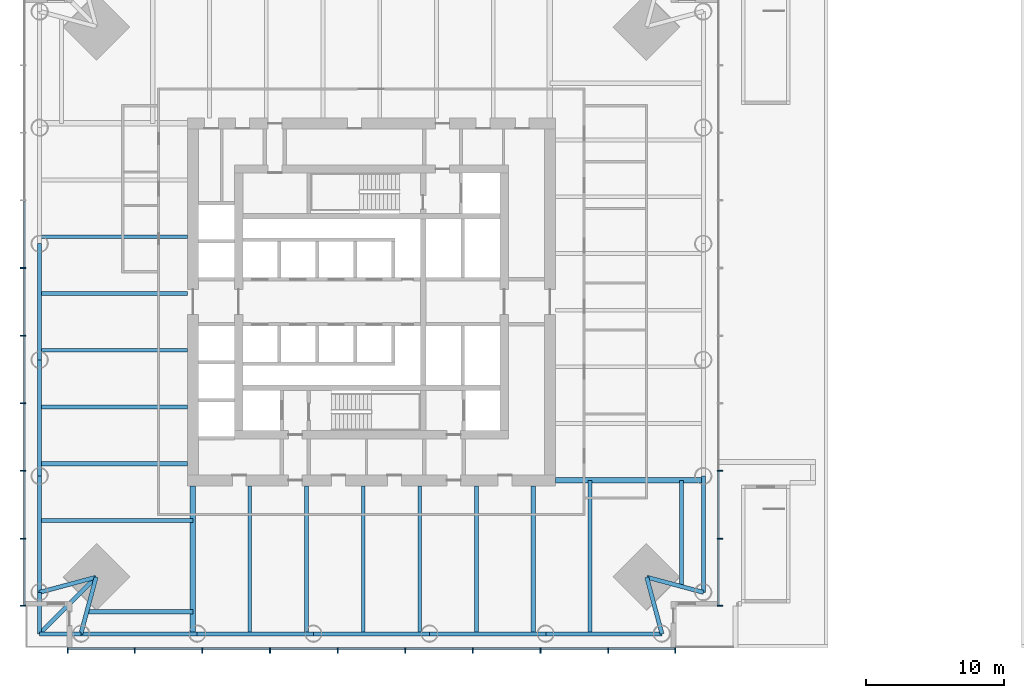
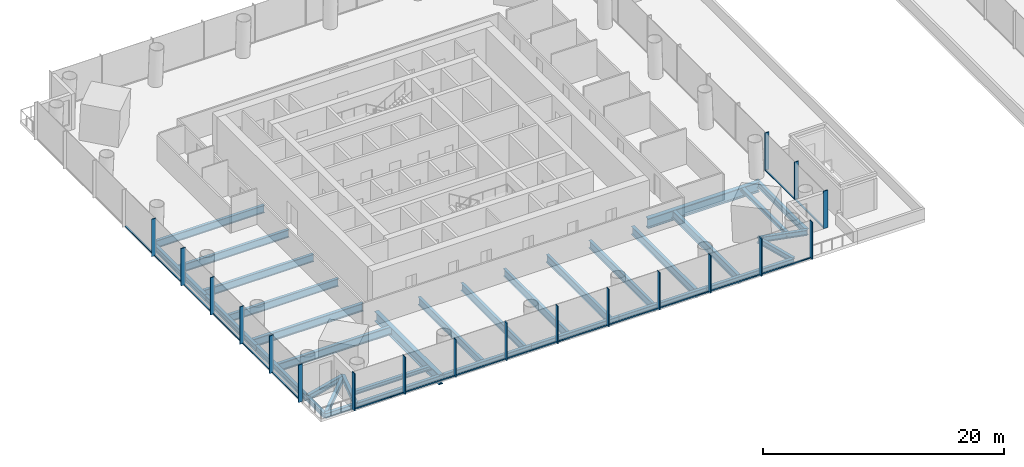
# One storey, part 2 of 19: 36 members, 33 beams, 3 elements without a shape of their own.
"""IFC4 building model written with IfcOpenShell, lengths in metres."""

from ifc_helpers import new_model, si_unit, direction, frame, origin, origin_2d, place, context, subcontext, project, spatial, rectangle, i_section, extrude, material, material_profile, profile_set, type_object, element, aggregate, save


model = new_model("IFC4")

# Units and contexts
model_context = context("Model", 3, precision=1e-05, world=origin(), true_north=direction((0.0, 1.0)))
body_context = subcontext(model_context, "Body", "Model", "MODEL_VIEW")
ifc_project = project(units=[si_unit("LENGTHUNIT", "METRE"), si_unit("AREAUNIT", "SQUARE_METRE"), si_unit("VOLUMEUNIT", "CUBIC_METRE"), si_unit("PLANEANGLEUNIT", "RADIAN"), si_unit("MASSUNIT", "GRAM", prefix="KILO")], contexts=[model_context])

# Site, building, storey
site_placement = place(None, origin())
site = spatial("IfcSite", under=ifc_project, at=site_placement, CompositionType="ELEMENT")
building_placement = place(site_placement, origin())
building = spatial("IfcBuilding", under=site, at=building_placement, Name="Ostroluk Exchange", CompositionType="ELEMENT")
storey_placement = place(building_placement, frame((0.0, 0.0, 21.0)))
storey = spatial("IfcBuildingStorey", under=building, at=storey_placement, Name="L04", CompositionType="ELEMENT", Elevation=21.0)

# Beams
ifc_material_1 = material(Name="Steel S355", Category="steel")
ifc_material_profile_1 = material_profile(ifc_material_1, i_section(OverallWidth=0.300048828125, OverallDepth=0.5, WebThickness=0.014404296875, FlangeThickness=0.028076171875, FilletRadius=0.027099609375, at=origin_2d()), Name="HEB 500")
ifc_profile_set_1 = profile_set([ifc_material_profile_1], Name="Steel S355")
beam_type_1 = type_object("IfcBeamType", Name="Balcony beam HEB 500", PredefinedType="BEAM", material=ifc_profile_set_1)
for number, where, z_axis, x_axis, name in (
    (1, (21.0, 25.0, -0.550048828125), (0.0, -1.0, 0.0), (1.0, 0.0, 0.0), "T1 west balcony beam a"),
    (2, (24.0, 22.0, -0.550048828125), (-1.0, 0.0, 0.0), (0.0, -1.0, 0.0), "T1 west balcony beam b"),
):
    element("IfcBeam", number, at=place(storey_placement, frame(where, z_axis=z_axis, x_axis=x_axis)), inside=storey, type_object=beam_type_1, Name=name, PredefinedType="BEAM", context=body_context, shape_type="SweptSolid", body=[
        extrude(i_section(OverallWidth=0.300048828125, OverallDepth=0.5, WebThickness=0.014404296875, FlangeThickness=0.028076171875, FilletRadius=0.027099609375, at=origin_2d()), origin(), (0.0, 0.0, 1.0), 3.0),
    ])
beam_1_placement = place(storey_placement, frame((25.10009765625, 26.10009765625, -0.550048828125), z_axis=(-0.707106781187, -0.707106781187, 0.0), x_axis=(0.707106781187, -0.707106781187, 0.0)))
element("IfcBeam", 3, at=beam_1_placement, inside=storey, type_object=beam_type_1, Name="T1 west balcony beam c", PredefinedType="BEAM", context=body_context, shape_type="SweptSolid", body=[
    extrude(i_section(OverallWidth=0.300048828125, OverallDepth=0.5, WebThickness=0.014404296875, FlangeThickness=0.028076171875, FilletRadius=0.027099609375, at=origin_2d()), origin(), (0.0, 0.0, 1.0), 5.79833984375),
])
ifc_material_2 = material(Name="Steel S355", Category="steel")
ifc_material_profile_2 = material_profile(ifc_material_2, i_section(OverallWidth=0.300048828125, OverallDepth=0.550048828125, WebThickness=0.014892578125, FlangeThickness=0.029052734375, FilletRadius=0.027099609375, at=origin_2d()), Name="HEB 550")
ifc_profile_set_2 = profile_set([ifc_material_profile_2], Name="Steel S355")
beam_type_2 = type_object("IfcBeamType", Name="Corner edge beam HEB 550", PredefinedType="SPANDREL", material=ifc_profile_set_2)
for number, where, z_axis, x_axis, name in (
    (4, (25.10009765625, 26.10009765625, -0.574951171875), (-0.965838624319, -0.259144268261, 0.0), (0.259144268261, -0.965838624319, 0.0), "T1 west corner edge beam a"),
    (5, (25.10009765625, 26.10009765625, -0.574951171875), (-0.259144268261, -0.965838624319, 0.0), (0.965838624319, -0.259144268261, 0.0), "T1 west corner edge beam b"),
    (6, (64.89990234375, 26.10009765625, -0.574951171875), (0.259144268261, -0.965838624319, 0.0), (0.965838624319, 0.259144268261, 0.0), "T1 south corner edge beam a"),
    (7, (64.89990234375, 26.10009765625, -0.574951171875), (0.965838624319, -0.259144268261, 0.0), (0.259144268261, 0.965838624319, 0.0), "T1 south corner edge beam b"),
):
    element("IfcBeam", number, at=place(storey_placement, frame(where, z_axis=z_axis, x_axis=x_axis)), inside=storey, type_object=beam_type_2, Name=name, PredefinedType="SPANDREL", context=body_context, shape_type="SweptSolid", body=[
        extrude(i_section(OverallWidth=0.300048828125, OverallDepth=0.550048828125, WebThickness=0.014892578125, FlangeThickness=0.029052734375, FilletRadius=0.027099609375, at=origin_2d()), origin(), (0.0, 0.0, 1.0), 4.2451171875),
    ])
ifc_material_3 = material(Name="Steel S355", Category="steel")
ifc_material_profile_3 = material_profile(ifc_material_3, i_section(OverallWidth=0.300048828125, OverallDepth=0.39990234375, WebThickness=0.013427734375, FlangeThickness=0.02392578125, FilletRadius=0.027099609375, at=origin_2d()), Name="HEB 400")
ifc_profile_set_3 = profile_set([ifc_material_profile_3], Name="Steel S355")
beam_type_3 = type_object("IfcBeamType", Name="Floor beam HEB 400", PredefinedType="BEAM", material=ifc_profile_set_3)
for number, where, z_axis, x_axis, name in (
    (8, (32.10009765625, 23.60009765625, -0.5), (-1.0, 0.0, 0.0), (0.0, -1.0, 0.0), "T1 west floor beam 8"),
    (9, (67.39990234375, 33.10009765625, -0.5), (0.0, -1.0, 0.0), (1.0, 0.0, 0.0), "T1 south floor beam 8"),
):
    element("IfcBeam", number, at=place(storey_placement, frame(where, z_axis=z_axis, x_axis=x_axis)), inside=storey, type_object=beam_type_3, Name=name, PredefinedType="BEAM", context=body_context, shape_type="SweptSolid", body=[
        extrude(i_section(OverallWidth=0.300048828125, OverallDepth=0.39990234375, WebThickness=0.013427734375, FlangeThickness=0.02392578125, FilletRadius=0.027099609375, at=origin_2d()), origin(), (0.0, 0.0, 1.0), 7.6708984375),
    ])
ifc_material_4 = material(Name="Steel S355", Category="steel")
ifc_material_profile_4 = material_profile(ifc_material_4, i_section(OverallWidth=0.302978515625, OverallDepth=0.81396484375, WebThickness=0.02099609375, FlangeThickness=0.0400390625, FilletRadius=0.030029296875, at=origin_2d()), Name="HEM 800")
ifc_profile_set_4 = profile_set([ifc_material_profile_4], Name="Steel S355")
beam_type_4 = type_object("IfcBeamType", Name="Floor beam HEM 800", PredefinedType="BEAM", material=ifc_profile_set_4)
beam_2_placement = place(storey_placement, frame((31.699951171875, 34.300048828125, -0.70703125), z_axis=(-1.0, 0.0, 0.0), x_axis=(0.0, -1.0, 0.0)))
element("IfcBeam", 10, at=beam_2_placement, inside=storey, type_object=beam_type_4, Name="T1 west floor beam 6", PredefinedType="BEAM", context=body_context, shape_type="SweptSolid", body=[
    extrude(i_section(OverallWidth=0.302978515625, OverallDepth=0.81396484375, WebThickness=0.02099609375, FlangeThickness=0.0400390625, FilletRadius=0.030029296875, at=origin_2d()), origin(), (0.0, 0.0, 1.0), 10.699951171875),
])
beam_3_placement = place(storey_placement, frame((32.10009765625, 30.199951171875, -0.70703125), z_axis=(-1.0, 0.0, 0.0), x_axis=(0.0, -1.0, 0.0)))
element("IfcBeam", 11, at=beam_3_placement, inside=storey, type_object=beam_type_4, Name="T1 west floor beam 7", PredefinedType="BEAM", context=body_context, shape_type="SweptSolid", body=[
    extrude(i_section(OverallWidth=0.302978515625, OverallDepth=0.81396484375, WebThickness=0.02099609375, FlangeThickness=0.0400390625, FilletRadius=0.030029296875, at=origin_2d()), origin(), (0.0, 0.0, 1.0), 11.10009765625),
])
beam_4_placement = place(storey_placement, frame((56.699951171875, 32.699951171875, -0.70703125), z_axis=(0.0, -1.0, 0.0), x_axis=(1.0, 0.0, 0.0)))
element("IfcBeam", 12, at=beam_4_placement, inside=storey, type_object=beam_type_4, Name="T1 south floor beam 6", PredefinedType="BEAM", context=body_context, shape_type="SweptSolid", body=[
    extrude(i_section(OverallWidth=0.302978515625, OverallDepth=0.81396484375, WebThickness=0.02099609375, FlangeThickness=0.0400390625, FilletRadius=0.030029296875, at=origin_2d()), origin(), (0.0, 0.0, 1.0), 10.699951171875),
])
beam_5_placement = place(storey_placement, frame((60.800048828125, 33.10009765625, -0.70703125), z_axis=(0.0, -1.0, 0.0), x_axis=(1.0, 0.0, 0.0)))
element("IfcBeam", 13, at=beam_5_placement, inside=storey, type_object=beam_type_4, Name="T1 south floor beam 7", PredefinedType="BEAM", context=body_context, shape_type="SweptSolid", body=[
    extrude(i_section(OverallWidth=0.302978515625, OverallDepth=0.81396484375, WebThickness=0.02099609375, FlangeThickness=0.0400390625, FilletRadius=0.030029296875, at=origin_2d()), origin(), (0.0, 0.0, 1.0), 11.10009765625),
])
ifc_material_5 = material(Name="Steel S355", Category="steel")
ifc_material_profile_5 = material_profile(ifc_material_5, i_section(OverallWidth=0.26806640625, OverallDepth=0.77001953125, WebThickness=0.015625, FlangeThickness=0.025390625, FilletRadius=0.01708984375, at=origin_2d()), Name="IPE 750x196")
ifc_profile_set_5 = profile_set([ifc_material_profile_5], Name="Steel S355")
beam_type_5 = type_object("IfcBeamType", Name="Floor beam IPE 750x196", PredefinedType="BEAM", material=ifc_profile_set_5)
for number, where, z_axis, x_axis, name in (
    (14, (31.699951171875, 50.699951171875, -0.68505859375), (-1.0, 0.0, 0.0), (0.0, -1.0, 0.0), "T1 west floor beam 2"),
    (15, (31.699951171875, 46.60009765625, -0.68505859375), (-1.0, 0.0, 0.0), (0.0, -1.0, 0.0), "T1 west floor beam 3"),
    (16, (31.699951171875, 42.5, -0.68505859375), (-1.0, 0.0, 0.0), (0.0, -1.0, 0.0), "T1 west floor beam 4"),
    (17, (31.699951171875, 38.39990234375, -0.68505859375), (-1.0, 0.0, 0.0), (0.0, -1.0, 0.0), "T1 west floor beam 5"),
    (18, (36.199951171875, 32.699951171875, -0.68505859375), (0.0, -1.0, 0.0), (1.0, 0.0, 0.0), "T1 south floor beam 1"),
    (19, (40.300048828125, 32.699951171875, -0.68505859375), (0.0, -1.0, 0.0), (1.0, 0.0, 0.0), "T1 south floor beam 2"),
    (20, (44.39990234375, 32.699951171875, -0.68505859375), (0.0, -1.0, 0.0), (1.0, 0.0, 0.0), "T1 south floor beam 3"),
    (21, (48.5, 32.699951171875, -0.68505859375), (0.0, -1.0, 0.0), (1.0, 0.0, 0.0), "T1 south floor beam 4"),
    (22, (52.60009765625, 32.699951171875, -0.68505859375), (0.0, -1.0, 0.0), (1.0, 0.0, 0.0), "T1 south floor beam 5"),
):
    element("IfcBeam", number, at=place(storey_placement, frame(where, z_axis=z_axis, x_axis=x_axis)), inside=storey, type_object=beam_type_5, Name=name, PredefinedType="BEAM", context=body_context, shape_type="SweptSolid", body=[
        extrude(i_section(OverallWidth=0.26806640625, OverallDepth=0.77001953125, WebThickness=0.015625, FlangeThickness=0.025390625, FilletRadius=0.01708984375, at=origin_2d()), origin(), (0.0, 0.0, 1.0), 10.699951171875),
    ])
ifc_material_6 = material(Name="Steel S355", Category="steel")
ifc_material_profile_6 = material_profile(ifc_material_6, i_section(OverallWidth=0.402099609375, OverallDepth=1.011962890625, WebThickness=0.035888671875, FlangeThickness=0.055908203125, FilletRadius=0.030029296875, at=origin_2d()), Name="HL 1000x443")
ifc_profile_set_6 = profile_set([ifc_material_profile_6], Name="Steel S355")
beam_type_6 = type_object("IfcBeamType", Name="Girder HL 1000x443", PredefinedType="BEAM", material=ifc_profile_set_6)
for number, where, z_axis, x_axis, name in (
    (23, (32.10009765625, 32.699951171875, -0.805908203125), (0.0, -1.0, 0.0), (1.0, 0.0, 0.0), "T1 west girder"),
    (24, (58.300048828125, 33.10009765625, -0.805908203125), (1.0, 0.0, 0.0), (0.0, 1.0, 0.0), "T1 south girder"),
):
    element("IfcBeam", number, at=place(storey_placement, frame(where, z_axis=z_axis, x_axis=x_axis)), inside=storey, type_object=beam_type_6, Name=name, PredefinedType="BEAM", context=body_context, shape_type="SweptSolid", body=[
        extrude(i_section(OverallWidth=0.402099609375, OverallDepth=1.011962890625, WebThickness=0.035888671875, FlangeThickness=0.055908203125, FilletRadius=0.030029296875, at=origin_2d()), origin(), (0.0, 0.0, 1.0), 10.699951171875),
    ])
ifc_material_7 = material(Name="Steel S355", Category="steel")
ifc_material_profile_7 = material_profile(ifc_material_7, i_section(OverallWidth=0.300048828125, OverallDepth=0.60009765625, WebThickness=0.015380859375, FlangeThickness=0.030029296875, FilletRadius=0.027099609375, at=origin_2d()), Name="HEB 600")
ifc_profile_set_7 = profile_set([ifc_material_profile_7], Name="Steel S355")
beam_type_7 = type_object("IfcBeamType", Name="Moment-connected edge beam HEB 600", PredefinedType="SPANDREL", material=ifc_profile_set_7)
for number, where, z_axis, x_axis, name in (
    (25, (69.0, 25.0, -0.60009765625), (0.0, 1.0, 0.0), (-1.0, 0.0, 0.0), "T1 east edge beam 1"),
    (26, (21.0, 50.199951171875, -0.60009765625), (0.0, -1.0, 0.0), (1.0, 0.0, 0.0), "T1 west edge beam 3"),
):
    element("IfcBeam", number, at=place(storey_placement, frame(where, z_axis=z_axis, x_axis=x_axis)), inside=storey, type_object=beam_type_7, Name=name, PredefinedType="SPANDREL", context=body_context, shape_type="SweptSolid", body=[
        extrude(i_section(OverallWidth=0.300048828125, OverallDepth=0.60009765625, WebThickness=0.015380859375, FlangeThickness=0.030029296875, FilletRadius=0.027099609375, at=origin_2d()), origin(), (0.0, 0.0, 1.0), 8.39990234375),
    ])
beam_6_placement = place(storey_placement, frame((21.0, 41.800048828125, -0.60009765625), z_axis=(0.0, -1.0, 0.0), x_axis=(1.0, 0.0, 0.0)))
element("IfcBeam", 27, at=beam_6_placement, inside=storey, type_object=beam_type_7, Name="T1 west edge beam 4", PredefinedType="SPANDREL", context=body_context, shape_type="SweptSolid", body=[
    extrude(i_section(OverallWidth=0.300048828125, OverallDepth=0.60009765625, WebThickness=0.015380859375, FlangeThickness=0.030029296875, FilletRadius=0.027099609375, at=origin_2d()), origin(), (0.0, 0.0, 1.0), 8.400146484375),
])
for number, where, z_axis, x_axis, name in (
    (28, (21.0, 33.39990234375, -0.60009765625), (0.0, -1.0, 0.0), (1.0, 0.0, 0.0), "T1 west edge beam 5"),
    (29, (24.0, 22.0, -0.60009765625), (1.0, 0.0, 0.0), (0.0, 1.0, 0.0), "T1 south edge beam 1"),
):
    element("IfcBeam", number, at=place(storey_placement, frame(where, z_axis=z_axis, x_axis=x_axis)), inside=storey, type_object=beam_type_7, Name=name, PredefinedType="SPANDREL", context=body_context, shape_type="SweptSolid", body=[
        extrude(i_section(OverallWidth=0.300048828125, OverallDepth=0.60009765625, WebThickness=0.015380859375, FlangeThickness=0.030029296875, FilletRadius=0.027099609375, at=origin_2d()), origin(), (0.0, 0.0, 1.0), 8.39990234375),
    ])
beam_7_placement = place(storey_placement, frame((32.39990234375, 22.0, -0.60009765625), z_axis=(1.0, 0.0, 0.0), x_axis=(0.0, 1.0, 0.0)))
element("IfcBeam", 30, at=beam_7_placement, inside=storey, type_object=beam_type_7, Name="T1 south edge beam 2", PredefinedType="SPANDREL", context=body_context, shape_type="SweptSolid", body=[
    extrude(i_section(OverallWidth=0.300048828125, OverallDepth=0.60009765625, WebThickness=0.015380859375, FlangeThickness=0.030029296875, FilletRadius=0.027099609375, at=origin_2d()), origin(), (0.0, 0.0, 1.0), 8.400146484375),
])
beam_8_placement = place(storey_placement, frame((40.800048828125, 22.0, -0.60009765625), z_axis=(1.0, 0.0, 0.0), x_axis=(0.0, 1.0, 0.0)))
element("IfcBeam", 31, at=beam_8_placement, inside=storey, type_object=beam_type_7, Name="T1 south edge beam 3", PredefinedType="SPANDREL", context=body_context, shape_type="SweptSolid", body=[
    extrude(i_section(OverallWidth=0.300048828125, OverallDepth=0.60009765625, WebThickness=0.015380859375, FlangeThickness=0.030029296875, FilletRadius=0.027099609375, at=origin_2d()), origin(), (0.0, 0.0, 1.0), 8.39990234375),
])
beam_9_placement = place(storey_placement, frame((49.199951171875, 22.0, -0.60009765625), z_axis=(1.0, 0.0, 0.0), x_axis=(0.0, 1.0, 0.0)))
element("IfcBeam", 32, at=beam_9_placement, inside=storey, type_object=beam_type_7, Name="T1 south edge beam 4", PredefinedType="SPANDREL", context=body_context, shape_type="SweptSolid", body=[
    extrude(i_section(OverallWidth=0.300048828125, OverallDepth=0.60009765625, WebThickness=0.015380859375, FlangeThickness=0.030029296875, FilletRadius=0.027099609375, at=origin_2d()), origin(), (0.0, 0.0, 1.0), 8.400146484375),
])
beam_10_placement = place(storey_placement, frame((57.60009765625, 22.0, -0.60009765625), z_axis=(1.0, 0.0, 0.0), x_axis=(0.0, 1.0, 0.0)))
element("IfcBeam", 33, at=beam_10_placement, inside=storey, type_object=beam_type_7, Name="T1 south edge beam 5", PredefinedType="SPANDREL", context=body_context, shape_type="SweptSolid", body=[
    extrude(i_section(OverallWidth=0.300048828125, OverallDepth=0.60009765625, WebThickness=0.015380859375, FlangeThickness=0.030029296875, FilletRadius=0.027099609375, at=origin_2d()), origin(), (0.0, 0.0, 1.0), 8.39990234375),
])

# Curtain wall, members
ifc_material_8 = material(Name="Laminated clear glass", Category="glass")
curtain_wall_type = type_object("IfcCurtainWallType", Name="Office tower facade", PredefinedType="USERDEFINED", material=ifc_material_8)
curtain_wall_1_placement = place(storey_placement, origin())
curtain_wall_1 = element("IfcCurtainWall", 34, at=curtain_wall_1_placement, inside=storey, type_object=curtain_wall_type, Name="Office tower south facade L04", ObjectType="UNITISED CURTAIN WALL", PredefinedType="USERDEFINED")
ifc_material_9 = material(Name="Aluminium mullion", Category="aluminium")
ifc_material_profile_8 = material_profile(ifc_material_9, rectangle(XDim=0.14990234375, YDim=0.080078125, at=origin_2d()), Name="Sill transom 80 x 150")
ifc_profile_set_8 = profile_set([ifc_material_profile_8], Name="Aluminium mullion")
member_type_1 = type_object("IfcMemberType", Name="Sill transom 80 x 150", PredefinedType="USERDEFINED", material=ifc_profile_set_8)
member_1_placement = place(storey_placement, frame((23.080078125, 20.925048828125, 0.0400390625), z_axis=(1.0, 0.0, 0.0), x_axis=(0.0, 1.0, 0.0)))
member_1 = element("IfcMember", 35, at=member_1_placement, type_object=member_type_1, Name="CW-O1 transom 1.1", ObjectType="TRANSOM", PredefinedType="USERDEFINED", context=body_context, shape_type="SweptSolid", body=[
    extrude(rectangle(XDim=0.14990234375, YDim=0.080078125, at=origin_2d()), origin(), (0.0, 0.0, 1.0), 4.768798828125),
])
member_2_placement = place(storey_placement, frame((27.928955078125, 20.925048828125, 0.0400390625), z_axis=(1.0, 0.0, 0.0), x_axis=(0.0, 1.0, 0.0)))
member_2 = element("IfcMember", 36, at=member_2_placement, type_object=member_type_1, Name="CW-O1 transom 2.1", ObjectType="TRANSOM", PredefinedType="USERDEFINED", context=body_context, shape_type="SweptSolid", body=[
    extrude(rectangle(XDim=0.14990234375, YDim=0.080078125, at=origin_2d()), origin(), (0.0, 0.0, 1.0), 4.808837890625),
])
member_3_placement = place(storey_placement, frame((32.81787109375, 20.925048828125, 0.0400390625), z_axis=(1.0, 0.0, 0.0), x_axis=(0.0, 1.0, 0.0)))
member_3 = element("IfcMember", 37, at=member_3_placement, type_object=member_type_1, Name="CW-O1 transom 3.1", ObjectType="TRANSOM", PredefinedType="USERDEFINED", context=body_context, shape_type="SweptSolid", body=[
    extrude(rectangle(XDim=0.14990234375, YDim=0.080078125, at=origin_2d()), origin(), (0.0, 0.0, 1.0), 4.808837890625),
])
member_4_placement = place(storey_placement, frame((37.706787109375, 20.925048828125, 0.0400390625), z_axis=(1.0, 0.0, 0.0), x_axis=(0.0, 1.0, 0.0)))
member_4 = element("IfcMember", 38, at=member_4_placement, type_object=member_type_1, Name="CW-O1 transom 4.1", ObjectType="TRANSOM", PredefinedType="USERDEFINED", context=body_context, shape_type="SweptSolid", body=[
    extrude(rectangle(XDim=0.14990234375, YDim=0.080078125, at=origin_2d()), origin(), (0.0, 0.0, 1.0), 4.808837890625),
])
member_5_placement = place(storey_placement, frame((42.595458984375, 20.925048828125, 0.0400390625), z_axis=(1.0, 0.0, 0.0), x_axis=(0.0, 1.0, 0.0)))
member_5 = element("IfcMember", 39, at=member_5_placement, type_object=member_type_1, Name="CW-O1 transom 5.1", ObjectType="TRANSOM", PredefinedType="USERDEFINED", context=body_context, shape_type="SweptSolid", body=[
    extrude(rectangle(XDim=0.14990234375, YDim=0.080078125, at=origin_2d()), origin(), (0.0, 0.0, 1.0), 4.80908203125),
])
member_6_placement = place(storey_placement, frame((47.484375, 20.925048828125, 0.0400390625), z_axis=(1.0, 0.0, 0.0), x_axis=(0.0, 1.0, 0.0)))
member_6 = element("IfcMember", 40, at=member_6_placement, type_object=member_type_1, Name="CW-O1 transom 6.1", ObjectType="TRANSOM", PredefinedType="USERDEFINED", context=body_context, shape_type="SweptSolid", body=[
    extrude(rectangle(XDim=0.14990234375, YDim=0.080078125, at=origin_2d()), origin(), (0.0, 0.0, 1.0), 4.808837890625),
])
member_7_placement = place(storey_placement, frame((52.373291015625, 20.925048828125, 0.0400390625), z_axis=(1.0, 0.0, 0.0), x_axis=(0.0, 1.0, 0.0)))
member_7 = element("IfcMember", 41, at=member_7_placement, type_object=member_type_1, Name="CW-O1 transom 7.1", ObjectType="TRANSOM", PredefinedType="USERDEFINED", context=body_context, shape_type="SweptSolid", body=[
    extrude(rectangle(XDim=0.14990234375, YDim=0.080078125, at=origin_2d()), origin(), (0.0, 0.0, 1.0), 4.808837890625),
])
member_8_placement = place(storey_placement, frame((57.26220703125, 20.925048828125, 0.0400390625), z_axis=(1.0, 0.0, 0.0), x_axis=(0.0, 1.0, 0.0)))
member_8 = element("IfcMember", 42, at=member_8_placement, type_object=member_type_1, Name="CW-O1 transom 8.1", ObjectType="TRANSOM", PredefinedType="USERDEFINED", context=body_context, shape_type="SweptSolid", body=[
    extrude(rectangle(XDim=0.14990234375, YDim=0.080078125, at=origin_2d()), origin(), (0.0, 0.0, 1.0), 4.808837890625),
])
member_9_placement = place(storey_placement, frame((62.151123046875, 20.925048828125, 0.0400390625), z_axis=(1.0, 0.0, 0.0), x_axis=(0.0, 1.0, 0.0)))
member_9 = element("IfcMember", 43, at=member_9_placement, type_object=member_type_1, Name="CW-O1 transom 9.1", ObjectType="TRANSOM", PredefinedType="USERDEFINED", context=body_context, shape_type="SweptSolid", body=[
    extrude(rectangle(XDim=0.14990234375, YDim=0.080078125, at=origin_2d()), origin(), (0.0, 0.0, 1.0), 4.768798828125),
])

curtain_wall_2_placement = place(storey_placement, origin())
curtain_wall_2 = element("IfcCurtainWall", 44, at=curtain_wall_2_placement, inside=storey, type_object=curtain_wall_type, Name="Office tower east facade L04", ObjectType="UNITISED CURTAIN WALL", PredefinedType="USERDEFINED")
member_10_placement = place(storey_placement, frame((70.074951171875, 24.080078125, 0.0400390625), z_axis=(0.0, 1.0, 0.0), x_axis=(-1.0, 0.0, 0.0)))
member_10 = element("IfcMember", 45, at=member_10_placement, type_object=member_type_1, Name="CW-O1 transom 1.1", ObjectType="TRANSOM", PredefinedType="USERDEFINED", context=body_context, shape_type="SweptSolid", body=[
    extrude(rectangle(XDim=0.14990234375, YDim=0.080078125, at=origin_2d()), origin(), (0.0, 0.0, 1.0), 4.768798828125),
])
member_11_placement = place(storey_placement, frame((70.074951171875, 28.928955078125, 0.0400390625), z_axis=(0.0, 1.0, 0.0), x_axis=(-1.0, 0.0, 0.0)))
member_11 = element("IfcMember", 46, at=member_11_placement, type_object=member_type_1, Name="CW-O1 transom 2.1", ObjectType="TRANSOM", PredefinedType="USERDEFINED", context=body_context, shape_type="SweptSolid", body=[
    extrude(rectangle(XDim=0.14990234375, YDim=0.080078125, at=origin_2d()), origin(), (0.0, 0.0, 1.0), 4.808837890625),
])

curtain_wall_3_placement = place(storey_placement, origin())
curtain_wall_3 = element("IfcCurtainWall", 47, at=curtain_wall_3_placement, inside=storey, type_object=curtain_wall_type, Name="Office tower west facade L04", ObjectType="UNITISED CURTAIN WALL", PredefinedType="USERDEFINED")
member_12_placement = place(storey_placement, frame((19.925048828125, 53.293212890625, 0.0400390625), z_axis=(0.0, -1.0, 0.0), x_axis=(1.0, 0.0, 0.0)))
member_12 = element("IfcMember", 48, at=member_12_placement, type_object=member_type_1, Name="CW-O1 transom 4.1", ObjectType="TRANSOM", PredefinedType="USERDEFINED", context=body_context, shape_type="SweptSolid", body=[
    extrude(rectangle(XDim=0.14990234375, YDim=0.080078125, at=origin_2d()), origin(), (0.0, 0.0, 1.0), 4.808837890625),
])
member_13_placement = place(storey_placement, frame((19.925048828125, 48.404541015625, 0.0400390625), z_axis=(0.0, -1.0, 0.0), x_axis=(1.0, 0.0, 0.0)))
member_13 = element("IfcMember", 49, at=member_13_placement, type_object=member_type_1, Name="CW-O1 transom 5.1", ObjectType="TRANSOM", PredefinedType="USERDEFINED", context=body_context, shape_type="SweptSolid", body=[
    extrude(rectangle(XDim=0.14990234375, YDim=0.080078125, at=origin_2d()), origin(), (0.0, 0.0, 1.0), 4.80908203125),
])
member_14_placement = place(storey_placement, frame((19.925048828125, 43.515625, 0.0400390625), z_axis=(0.0, -1.0, 0.0), x_axis=(1.0, 0.0, 0.0)))
member_14 = element("IfcMember", 50, at=member_14_placement, type_object=member_type_1, Name="CW-O1 transom 6.1", ObjectType="TRANSOM", PredefinedType="USERDEFINED", context=body_context, shape_type="SweptSolid", body=[
    extrude(rectangle(XDim=0.14990234375, YDim=0.080078125, at=origin_2d()), origin(), (0.0, 0.0, 1.0), 4.808837890625),
])
member_15_placement = place(storey_placement, frame((19.925048828125, 38.626708984375, 0.0400390625), z_axis=(0.0, -1.0, 0.0), x_axis=(1.0, 0.0, 0.0)))
member_15 = element("IfcMember", 51, at=member_15_placement, type_object=member_type_1, Name="CW-O1 transom 7.1", ObjectType="TRANSOM", PredefinedType="USERDEFINED", context=body_context, shape_type="SweptSolid", body=[
    extrude(rectangle(XDim=0.14990234375, YDim=0.080078125, at=origin_2d()), origin(), (0.0, 0.0, 1.0), 4.808837890625),
])
member_16_placement = place(storey_placement, frame((19.925048828125, 33.73779296875, 0.0400390625), z_axis=(0.0, -1.0, 0.0), x_axis=(1.0, 0.0, 0.0)))
member_16 = element("IfcMember", 52, at=member_16_placement, type_object=member_type_1, Name="CW-O1 transom 8.1", ObjectType="TRANSOM", PredefinedType="USERDEFINED", context=body_context, shape_type="SweptSolid", body=[
    extrude(rectangle(XDim=0.14990234375, YDim=0.080078125, at=origin_2d()), origin(), (0.0, 0.0, 1.0), 4.808837890625),
])
member_17_placement = place(storey_placement, frame((19.925048828125, 28.848876953125, 0.0400390625), z_axis=(0.0, -1.0, 0.0), x_axis=(1.0, 0.0, 0.0)))
member_17 = element("IfcMember", 53, at=member_17_placement, type_object=member_type_1, Name="CW-O1 transom 9.1", ObjectType="TRANSOM", PredefinedType="USERDEFINED", context=body_context, shape_type="SweptSolid", body=[
    extrude(rectangle(XDim=0.14990234375, YDim=0.080078125, at=origin_2d()), origin(), (0.0, 0.0, 1.0), 4.768798828125),
])

# Member
ifc_material_10 = material(Name="Aluminium mullion with limestone facing", Category="masonry")
ifc_material_profile_9 = material_profile(ifc_material_10, rectangle(XDim=0.39990234375, YDim=0.080078125, at=origin_2d()), Name="Tracery mullion 80 x 400")
ifc_profile_set_9 = profile_set([ifc_material_profile_9], Name="Aluminium mullion with limestone facing")
member_type_2 = type_object("IfcMemberType", Name="Tracery mullion 80 x 400", PredefinedType="MULLION", material=ifc_profile_set_9)
member_18_placement = place(storey_placement, frame((23.0400390625, 20.800048828125, 0.0), z_axis=(0.0, 0.0, 1.0), x_axis=(0.0, 1.0, 0.0)))
member_18 = element("IfcMember", 54, at=member_18_placement, type_object=member_type_2, Name="CW-O1 mullion 1", PredefinedType="MULLION", context=body_context, shape_type="SweptSolid", body=[
    extrude(rectangle(XDim=0.39990234375, YDim=0.080078125, at=origin_2d()), origin(), (0.0, 0.0, 1.0), 3.800048828125),
])

member_19_placement = place(storey_placement, frame((27.888916015625, 20.800048828125, 0.0), z_axis=(0.0, 0.0, 1.0), x_axis=(0.0, 1.0, 0.0)))
member_19 = element("IfcMember", 55, at=member_19_placement, type_object=member_type_2, Name="CW-O1 mullion 2", PredefinedType="MULLION", context=body_context, shape_type="SweptSolid", body=[
    extrude(rectangle(XDim=0.39990234375, YDim=0.080078125, at=origin_2d()), origin(), (0.0, 0.0, 1.0), 3.800048828125),
])

member_20_placement = place(storey_placement, frame((32.77783203125, 20.800048828125, 0.0), z_axis=(0.0, 0.0, 1.0), x_axis=(0.0, 1.0, 0.0)))
member_20 = element("IfcMember", 56, at=member_20_placement, type_object=member_type_2, Name="CW-O1 mullion 3", PredefinedType="MULLION", context=body_context, shape_type="SweptSolid", body=[
    extrude(rectangle(XDim=0.39990234375, YDim=0.080078125, at=origin_2d()), origin(), (0.0, 0.0, 1.0), 3.800048828125),
])

member_21_placement = place(storey_placement, frame((37.666748046875, 20.800048828125, 0.0), z_axis=(0.0, 0.0, 1.0), x_axis=(0.0, 1.0, 0.0)))
member_21 = element("IfcMember", 57, at=member_21_placement, type_object=member_type_2, Name="CW-O1 mullion 4", PredefinedType="MULLION", context=body_context, shape_type="SweptSolid", body=[
    extrude(rectangle(XDim=0.39990234375, YDim=0.080078125, at=origin_2d()), origin(), (0.0, 0.0, 1.0), 3.800048828125),
])

member_22_placement = place(storey_placement, frame((42.5556640625, 20.800048828125, 0.0), z_axis=(0.0, 0.0, 1.0), x_axis=(0.0, 1.0, 0.0)))
member_22 = element("IfcMember", 58, at=member_22_placement, type_object=member_type_2, Name="CW-O1 mullion 5", PredefinedType="MULLION", context=body_context, shape_type="SweptSolid", body=[
    extrude(rectangle(XDim=0.39990234375, YDim=0.080078125, at=origin_2d()), origin(), (0.0, 0.0, 1.0), 3.800048828125),
])

member_23_placement = place(storey_placement, frame((47.4443359375, 20.800048828125, 0.0), z_axis=(0.0, 0.0, 1.0), x_axis=(0.0, 1.0, 0.0)))
member_23 = element("IfcMember", 59, at=member_23_placement, type_object=member_type_2, Name="CW-O1 mullion 6", PredefinedType="MULLION", context=body_context, shape_type="SweptSolid", body=[
    extrude(rectangle(XDim=0.39990234375, YDim=0.080078125, at=origin_2d()), origin(), (0.0, 0.0, 1.0), 3.800048828125),
])

member_24_placement = place(storey_placement, frame((52.333251953125, 20.800048828125, 0.0), z_axis=(0.0, 0.0, 1.0), x_axis=(0.0, 1.0, 0.0)))
member_24 = element("IfcMember", 60, at=member_24_placement, type_object=member_type_2, Name="CW-O1 mullion 7", PredefinedType="MULLION", context=body_context, shape_type="SweptSolid", body=[
    extrude(rectangle(XDim=0.39990234375, YDim=0.080078125, at=origin_2d()), origin(), (0.0, 0.0, 1.0), 3.800048828125),
])

member_25_placement = place(storey_placement, frame((57.22216796875, 20.800048828125, 0.0), z_axis=(0.0, 0.0, 1.0), x_axis=(0.0, 1.0, 0.0)))
member_25 = element("IfcMember", 61, at=member_25_placement, type_object=member_type_2, Name="CW-O1 mullion 8", PredefinedType="MULLION", context=body_context, shape_type="SweptSolid", body=[
    extrude(rectangle(XDim=0.39990234375, YDim=0.080078125, at=origin_2d()), origin(), (0.0, 0.0, 1.0), 3.800048828125),
])

member_26_placement = place(storey_placement, frame((62.111083984375, 20.800048828125, 0.0), z_axis=(0.0, 0.0, 1.0), x_axis=(0.0, 1.0, 0.0)))
member_26 = element("IfcMember", 62, at=member_26_placement, type_object=member_type_2, Name="CW-O1 mullion 9", PredefinedType="MULLION", context=body_context, shape_type="SweptSolid", body=[
    extrude(rectangle(XDim=0.39990234375, YDim=0.080078125, at=origin_2d()), origin(), (0.0, 0.0, 1.0), 3.800048828125),
])

member_27_placement = place(storey_placement, frame((66.9599609375, 20.800048828125, 0.0), z_axis=(0.0, 0.0, 1.0), x_axis=(0.0, 1.0, 0.0)))
member_27 = element("IfcMember", 63, at=member_27_placement, type_object=member_type_2, Name="CW-O1 mullion 10", PredefinedType="MULLION", context=body_context, shape_type="SweptSolid", body=[
    extrude(rectangle(XDim=0.39990234375, YDim=0.080078125, at=origin_2d()), origin(), (0.0, 0.0, 1.0), 3.800048828125),
])

aggregate(curtain_wall_1, [member_18, member_19, member_20, member_21, member_22, member_23, member_24, member_25, member_26, member_27, member_1, member_2, member_3, member_4, member_5, member_6, member_7, member_8, member_9])

member_28_placement = place(storey_placement, frame((70.199951171875, 24.0400390625, 0.0), z_axis=(0.0, 0.0, 1.0), x_axis=(-1.0, 0.0, 0.0)))
member_28 = element("IfcMember", 64, at=member_28_placement, type_object=member_type_2, Name="CW-O1 mullion 1", PredefinedType="MULLION", context=body_context, shape_type="SweptSolid", body=[
    extrude(rectangle(XDim=0.39990234375, YDim=0.080078125, at=origin_2d()), origin(), (0.0, 0.0, 1.0), 3.800048828125),
])

member_29_placement = place(storey_placement, frame((70.199951171875, 28.888916015625, 0.0), z_axis=(0.0, 0.0, 1.0), x_axis=(-1.0, 0.0, 0.0)))
member_29 = element("IfcMember", 65, at=member_29_placement, type_object=member_type_2, Name="CW-O1 mullion 2", PredefinedType="MULLION", context=body_context, shape_type="SweptSolid", body=[
    extrude(rectangle(XDim=0.39990234375, YDim=0.080078125, at=origin_2d()), origin(), (0.0, 0.0, 1.0), 3.800048828125),
])

member_30_placement = place(storey_placement, frame((70.199951171875, 33.77783203125, 0.0), z_axis=(0.0, 0.0, 1.0), x_axis=(-1.0, 0.0, 0.0)))
member_30 = element("IfcMember", 66, at=member_30_placement, type_object=member_type_2, Name="CW-O1 mullion 3", PredefinedType="MULLION", context=body_context, shape_type="SweptSolid", body=[
    extrude(rectangle(XDim=0.39990234375, YDim=0.080078125, at=origin_2d()), origin(), (0.0, 0.0, 1.0), 3.800048828125),
])

aggregate(curtain_wall_2, [member_28, member_29, member_30, member_10, member_11])

member_31_placement = place(storey_placement, frame((19.800048828125, 48.4443359375, 0.0), z_axis=(0.0, 0.0, 1.0), x_axis=(1.0, 0.0, 0.0)))
member_31 = element("IfcMember", 67, at=member_31_placement, type_object=member_type_2, Name="CW-O1 mullion 5", PredefinedType="MULLION", context=body_context, shape_type="SweptSolid", body=[
    extrude(rectangle(XDim=0.39990234375, YDim=0.080078125, at=origin_2d()), origin(), (0.0, 0.0, 1.0), 3.800048828125),
])

member_32_placement = place(storey_placement, frame((19.800048828125, 43.5556640625, 0.0), z_axis=(0.0, 0.0, 1.0), x_axis=(1.0, 0.0, 0.0)))
member_32 = element("IfcMember", 68, at=member_32_placement, type_object=member_type_2, Name="CW-O1 mullion 6", PredefinedType="MULLION", context=body_context, shape_type="SweptSolid", body=[
    extrude(rectangle(XDim=0.39990234375, YDim=0.080078125, at=origin_2d()), origin(), (0.0, 0.0, 1.0), 3.800048828125),
])

member_33_placement = place(storey_placement, frame((19.800048828125, 38.666748046875, 0.0), z_axis=(0.0, 0.0, 1.0), x_axis=(1.0, 0.0, 0.0)))
member_33 = element("IfcMember", 69, at=member_33_placement, type_object=member_type_2, Name="CW-O1 mullion 7", PredefinedType="MULLION", context=body_context, shape_type="SweptSolid", body=[
    extrude(rectangle(XDim=0.39990234375, YDim=0.080078125, at=origin_2d()), origin(), (0.0, 0.0, 1.0), 3.800048828125),
])

member_34_placement = place(storey_placement, frame((19.800048828125, 33.77783203125, 0.0), z_axis=(0.0, 0.0, 1.0), x_axis=(1.0, 0.0, 0.0)))
member_34 = element("IfcMember", 70, at=member_34_placement, type_object=member_type_2, Name="CW-O1 mullion 8", PredefinedType="MULLION", context=body_context, shape_type="SweptSolid", body=[
    extrude(rectangle(XDim=0.39990234375, YDim=0.080078125, at=origin_2d()), origin(), (0.0, 0.0, 1.0), 3.800048828125),
])

member_35_placement = place(storey_placement, frame((19.800048828125, 28.888916015625, 0.0), z_axis=(0.0, 0.0, 1.0), x_axis=(1.0, 0.0, 0.0)))
member_35 = element("IfcMember", 71, at=member_35_placement, type_object=member_type_2, Name="CW-O1 mullion 9", PredefinedType="MULLION", context=body_context, shape_type="SweptSolid", body=[
    extrude(rectangle(XDim=0.39990234375, YDim=0.080078125, at=origin_2d()), origin(), (0.0, 0.0, 1.0), 3.800048828125),
])

member_36_placement = place(storey_placement, frame((19.800048828125, 24.0400390625, 0.0), z_axis=(0.0, 0.0, 1.0), x_axis=(1.0, 0.0, 0.0)))
member_36 = element("IfcMember", 72, at=member_36_placement, type_object=member_type_2, Name="CW-O1 mullion 10", PredefinedType="MULLION", context=body_context, shape_type="SweptSolid", body=[
    extrude(rectangle(XDim=0.39990234375, YDim=0.080078125, at=origin_2d()), origin(), (0.0, 0.0, 1.0), 3.800048828125),
])

aggregate(curtain_wall_3, [member_31, member_32, member_33, member_34, member_35, member_36, member_12, member_13, member_14, member_15, member_16, member_17])

save(model, "model.ifc")
